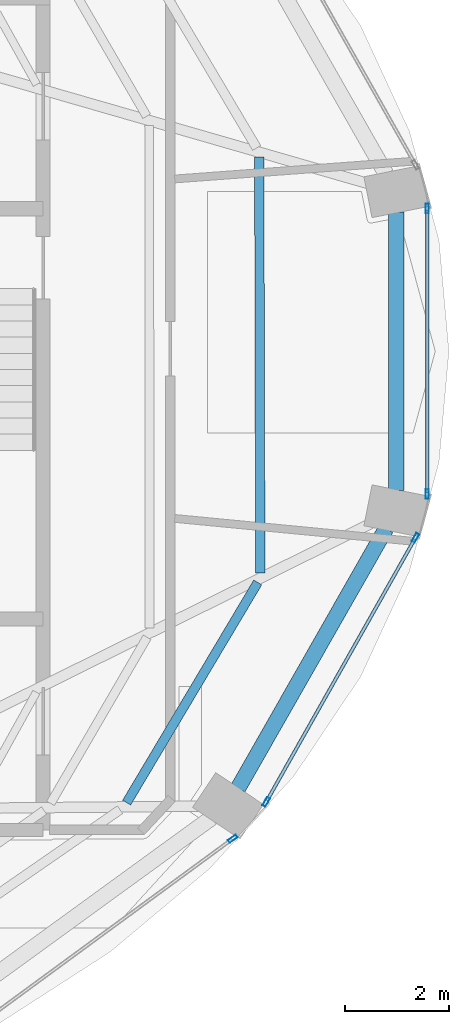
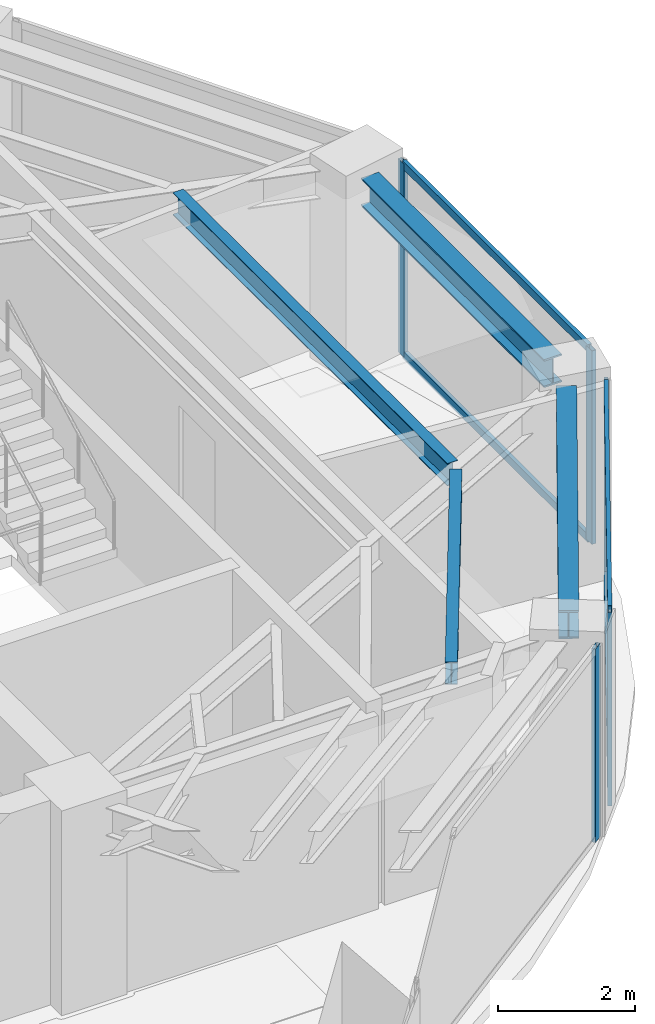
# One storey, part 7 of 15: 9 members, 4 beams, 3 elements without a shape of their own.
"""IFC4 building model written with IfcOpenShell, lengths in metres."""

from ifc_helpers import new_model, si_unit, direction, frame, origin, origin_2d, place, context, subcontext, project, spatial, hollow_rectangle, i_section, extrude, material, layer, layer_set, material_profile, profile_set, type_object, element, aggregate, save


model = new_model("IFC4")

# Units and contexts
model_context = context("Model", 3, precision=1e-05, world=origin(), true_north=direction((0.0, 1.0)))
body_context = subcontext(model_context, "Body", "Model", "MODEL_VIEW")
ifc_project = project(units=[si_unit("LENGTHUNIT", "METRE"), si_unit("AREAUNIT", "SQUARE_METRE"), si_unit("VOLUMEUNIT", "CUBIC_METRE"), si_unit("PLANEANGLEUNIT", "RADIAN"), si_unit("MASSUNIT", "GRAM", prefix="KILO")], contexts=[model_context])

# Site, building, storey
site_placement = place(None, origin())
site = spatial("IfcSite", under=ifc_project, at=site_placement, CompositionType="ELEMENT")
building_placement = place(site_placement, origin())
building = spatial("IfcBuilding", under=site, at=building_placement, Name="Lazwardi Medical Tower", CompositionType="ELEMENT")
storey_placement = place(building_placement, frame((0.0, 0.0, 284.2080078125)))
storey = spatial("IfcBuildingStorey", under=building, at=storey_placement, Name="L74", CompositionType="ELEMENT", Elevation=284.2080078125)

# Beams
ifc_material_1 = material(Name="Steel S355", Category="steel")
ifc_material_profile_1 = material_profile(ifc_material_1, i_section(OverallWidth=0.300048828125, OverallDepth=0.5, WebThickness=0.014404296875, FlangeThickness=0.028076171875, at=origin_2d()), Name="HEB 500")
ifc_profile_set_1 = profile_set([ifc_material_profile_1], Name="Steel S355")
beam_type_1 = type_object("IfcBeamType", Name="BM-RB-Z4", PredefinedType="BEAM", material=ifc_profile_set_1)
beam_1_placement = place(storey_placement, frame((54.15283203125, 20.81640625, 3.197998046875), z_axis=(0.495125273299, 0.868821594886, 0.0), x_axis=(-0.868821594886, 0.495125273299, 0.0)))
element("IfcBeam", 1, at=beam_1_placement, inside=storey, type_object=beam_type_1, Name="Ring beam RB-05 B03 L74", PredefinedType="BEAM", context=body_context, shape_type="SweptSolid", body=[
    extrude(i_section(OverallWidth=0.300048828125, OverallDepth=0.5, WebThickness=0.014404296875, FlangeThickness=0.028076171875, at=origin_2d()), origin(), (0.0, 0.0, 1.0), 5.734130859375),
])
beam_2_placement = place(storey_placement, frame((57.18505859375, 26.527099609375, 3.197998046875), z_axis=(0.0, 1.0, 0.0), x_axis=(-1.0, 0.0, 0.0)))
element("IfcBeam", 2, at=beam_2_placement, inside=storey, type_object=beam_type_1, Name="Ring beam RB-05 B04 L74", PredefinedType="BEAM", context=body_context, shape_type="SweptSolid", body=[
    extrude(i_section(OverallWidth=0.300048828125, OverallDepth=0.5, WebThickness=0.014404296875, FlangeThickness=0.028076171875, at=origin_2d()), origin(), (0.0, 0.0, 1.0), 5.345703125),
])
ifc_material_profile_2 = material_profile(ifc_material_1, i_section(OverallWidth=0.179931640625, OverallDepth=0.39990234375, WebThickness=0.008544921875, FlangeThickness=0.013427734375, at=origin_2d()), Name="IPE 400")
ifc_profile_set_2 = profile_set([ifc_material_profile_2], Name="Steel S355")
beam_type_2 = type_object("IfcBeamType", Name="BM-SJ-01", PredefinedType="JOIST", material=ifc_profile_set_2)
beam_3_placement = place(storey_placement, frame((52.015380859375, 20.54052734375, 3.248046875), z_axis=(0.511696806688, 0.859166094551, 0.0), x_axis=(-0.859166094551, 0.511696806688, 0.0)))
element("IfcBeam", 3, at=beam_3_placement, inside=storey, type_object=beam_type_2, Name="Secondary joist SJ-01 R1 B03 L74", PredefinedType="JOIST", context=body_context, shape_type="SweptSolid", body=[
    extrude(i_section(OverallWidth=0.179931640625, OverallDepth=0.39990234375, WebThickness=0.008544921875, FlangeThickness=0.013427734375, at=origin_2d()), origin(), (0.0, 0.0, 1.0), 4.917724609375),
])
beam_4_placement = place(storey_placement, frame((54.580078125, 24.942138671875, 3.248046875), z_axis=(-0.002538606287, 0.999996777734, 0.0), x_axis=(-0.999996777734, -0.002538606287, 0.0)))
element("IfcBeam", 4, at=beam_4_placement, inside=storey, type_object=beam_type_2, Name="Secondary joist SJ-01 R1 B04 L74", PredefinedType="JOIST", context=body_context, shape_type="SweptSolid", body=[
    extrude(i_section(OverallWidth=0.179931640625, OverallDepth=0.39990234375, WebThickness=0.008544921875, FlangeThickness=0.013427734375, at=origin_2d()), origin(), (0.0, 0.0, 1.0), 7.982177734375),
])

# Curtain wall, member
ifc_material_2 = material(Name="Anodised bronze aluminium and solar control glazing", Category="aluminium")
ifc_layer = layer(ifc_material_2, 0.18994140625)
ifc_layer_set = layer_set([ifc_layer], Name="Anodised bronze aluminium and solar control glazing")
curtain_wall_type = type_object("IfcCurtainWallType", Name="CW-SYS-04", PredefinedType="NOTDEFINED", material=ifc_layer_set)
curtain_wall_1_placement = place(storey_placement, origin())
curtain_wall_1 = element("IfcCurtainWall", 5, at=curtain_wall_1_placement, inside=storey, type_object=curtain_wall_type, Name="L74 Unitised bronze curtain wall CW-04", PredefinedType="NOTDEFINED")
ifc_material_3 = material(Name="Anodised bronze aluminium", Category="aluminium")
ifc_material_profile_3 = material_profile(ifc_material_3, hollow_rectangle(XDim=0.06494140625, YDim=0.179931640625, WallThickness=0.00390625, at=origin_2d()), Name="ALU-MULLION 180x65x4")
ifc_profile_set_3 = profile_set([ifc_material_profile_3], Name="Anodised bronze aluminium")
member_type_1 = type_object("IfcMemberType", Name="CW-MUL-03", PredefinedType="MULLION", material=ifc_profile_set_3)
member_1_placement = place(storey_placement, frame((54.052001953125, 19.848388671875, 0.0), z_axis=(0.0, 0.0, 1.0), x_axis=(-0.591268230971, 0.806474971121, 0.0)))
member_1 = element("IfcMember", 6, at=member_1_placement, type_object=member_type_1, Name="CW-04 mullion 2", PredefinedType="MULLION", context=body_context, shape_type="SweptSolid", body=[
    extrude(hollow_rectangle(XDim=0.06494140625, YDim=0.179931640625, WallThickness=0.00390625, at=origin_2d()), origin(), (0.0, 0.0, 1.0), 3.447998046875),
])
aggregate(curtain_wall_1, [member_1])

# Curtain wall, members
curtain_wall_2_placement = place(storey_placement, origin())
curtain_wall_2 = element("IfcCurtainWall", 7, at=curtain_wall_2_placement, inside=storey, type_object=curtain_wall_type, Name="L74 Unitised bronze curtain wall CW-04", PredefinedType="NOTDEFINED")
member_2_placement = place(storey_placement, frame((54.6943359375, 20.554443359375, 0.0), z_axis=(0.0, 0.0, 1.0), x_axis=(-0.870651436011, 0.491900474661, 0.0)))
member_2 = element("IfcMember", 8, at=member_2_placement, type_object=member_type_1, Name="CW-04 mullion 1", PredefinedType="MULLION", context=body_context, shape_type="SweptSolid", body=[
    extrude(hollow_rectangle(XDim=0.06494140625, YDim=0.179931640625, WallThickness=0.00390625, at=origin_2d()), origin(), (0.0, 0.0, 1.0), 3.447998046875),
])
member_3_placement = place(storey_placement, frame((57.557373046875, 25.621826171875, 0.0), z_axis=(0.0, 0.0, 1.0), x_axis=(-0.870651436011, 0.491900474661, 0.0)))
member_3 = element("IfcMember", 9, at=member_3_placement, type_object=member_type_1, Name="CW-04 mullion 2", PredefinedType="MULLION", context=body_context, shape_type="SweptSolid", body=[
    extrude(hollow_rectangle(XDim=0.06494140625, YDim=0.179931640625, WallThickness=0.00390625, at=origin_2d()), origin(), (0.0, 0.0, 1.0), 3.447998046875),
])

curtain_wall_3_placement = place(storey_placement, origin())
curtain_wall_3 = element("IfcCurtainWall", 10, at=curtain_wall_3_placement, inside=storey, type_object=curtain_wall_type, Name="L74 Unitised bronze curtain wall CW-04", PredefinedType="NOTDEFINED")
member_4_placement = place(storey_placement, frame((57.7841796875, 26.45947265625, 0.0), z_axis=(0.0, 0.0, 1.0), x_axis=(-1.0, 0.0, 0.0)))
member_4 = element("IfcMember", 11, at=member_4_placement, type_object=member_type_1, Name="CW-04 mullion 1", PredefinedType="MULLION", context=body_context, shape_type="SweptSolid", body=[
    extrude(hollow_rectangle(XDim=0.06494140625, YDim=0.179931640625, WallThickness=0.00390625, at=origin_2d()), origin(), (0.0, 0.0, 1.0), 3.447998046875),
])
member_5_placement = place(storey_placement, frame((57.7841796875, 31.9404296875, 0.0), z_axis=(0.0, 0.0, 1.0), x_axis=(-1.0, 0.0, 0.0)))
member_5 = element("IfcMember", 12, at=member_5_placement, type_object=member_type_1, Name="CW-04 mullion 2", PredefinedType="MULLION", context=body_context, shape_type="SweptSolid", body=[
    extrude(hollow_rectangle(XDim=0.06494140625, YDim=0.179931640625, WallThickness=0.00390625, at=origin_2d()), origin(), (0.0, 0.0, 1.0), 3.447998046875),
])

# Member
ifc_material_profile_4 = material_profile(ifc_material_3, hollow_rectangle(XDim=0.06494140625, YDim=0.139892578125, WallThickness=0.00341796875, at=origin_2d()), Name="ALU-TRANSOM 140x65x3.5")
ifc_profile_set_4 = profile_set([ifc_material_profile_4], Name="Anodised bronze aluminium")
member_type_2 = type_object("IfcMemberType", Name="CW-TRN-03", PredefinedType="USERDEFINED", material=ifc_profile_set_4)
member_6_placement = place(storey_placement, frame((54.71044921875, 20.582763671875, 0.032470703125), z_axis=(0.491879719484, 0.87066316194, 0.0), x_axis=(-0.87066316194, 0.491879719484, 0.0)))
member_6 = element("IfcMember", 13, at=member_6_placement, type_object=member_type_2, Name="CW-04 transom 1.1", ObjectType="TRANSOM", PredefinedType="USERDEFINED", context=body_context, shape_type="SweptSolid", body=[
    extrude(hollow_rectangle(XDim=0.06494140625, YDim=0.139892578125, WallThickness=0.00341796875, at=origin_2d()), origin(), (0.0, 0.0, 1.0), 5.755126953125),
])

member_7_placement = place(storey_placement, frame((54.71044921875, 20.582763671875, 3.41552734375), z_axis=(0.491879719484, 0.87066316194, 0.0), x_axis=(-0.87066316194, 0.491879719484, 0.0)))
member_7 = element("IfcMember", 14, at=member_7_placement, type_object=member_type_2, Name="CW-04 transom 1.2", ObjectType="TRANSOM", PredefinedType="USERDEFINED", context=body_context, shape_type="SweptSolid", body=[
    extrude(hollow_rectangle(XDim=0.06494140625, YDim=0.139892578125, WallThickness=0.00341796875, at=origin_2d()), origin(), (0.0, 0.0, 1.0), 5.755126953125),
])

aggregate(curtain_wall_2, [member_2, member_3, member_6, member_7])

member_8_placement = place(storey_placement, frame((57.7841796875, 26.491943359375, 0.032470703125), z_axis=(0.0, 1.0, 0.0), x_axis=(-1.0, 0.0, 0.0)))
member_8 = element("IfcMember", 15, at=member_8_placement, type_object=member_type_2, Name="CW-04 transom 1.1", ObjectType="TRANSOM", PredefinedType="USERDEFINED", context=body_context, shape_type="SweptSolid", body=[
    extrude(hollow_rectangle(XDim=0.06494140625, YDim=0.139892578125, WallThickness=0.00341796875, at=origin_2d()), origin(), (0.0, 0.0, 1.0), 5.416015625),
])

member_9_placement = place(storey_placement, frame((57.7841796875, 26.491943359375, 3.41552734375), z_axis=(0.0, 1.0, 0.0), x_axis=(-1.0, 0.0, 0.0)))
member_9 = element("IfcMember", 16, at=member_9_placement, type_object=member_type_2, Name="CW-04 transom 1.2", ObjectType="TRANSOM", PredefinedType="USERDEFINED", context=body_context, shape_type="SweptSolid", body=[
    extrude(hollow_rectangle(XDim=0.06494140625, YDim=0.139892578125, WallThickness=0.00341796875, at=origin_2d()), origin(), (0.0, 0.0, 1.0), 5.416015625),
])

aggregate(curtain_wall_3, [member_4, member_5, member_8, member_9])

save(model, "model.ifc")
